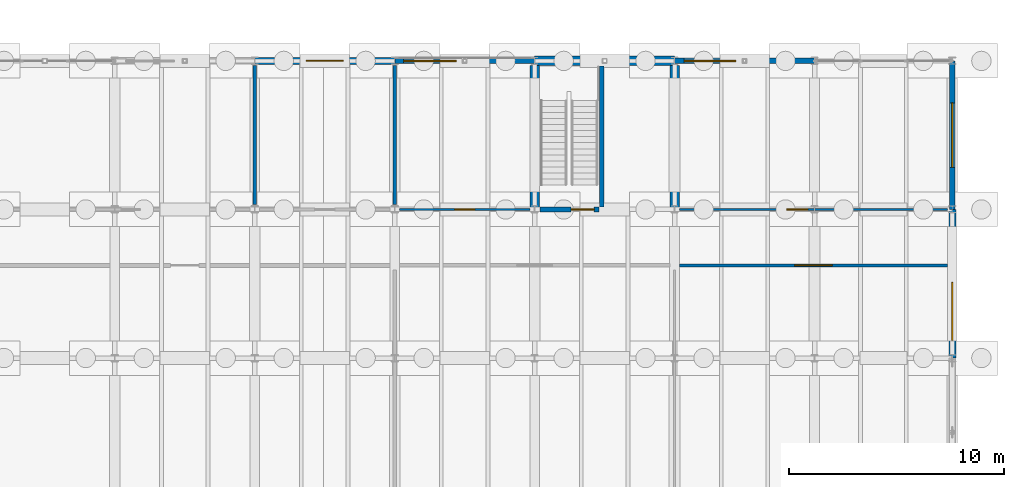
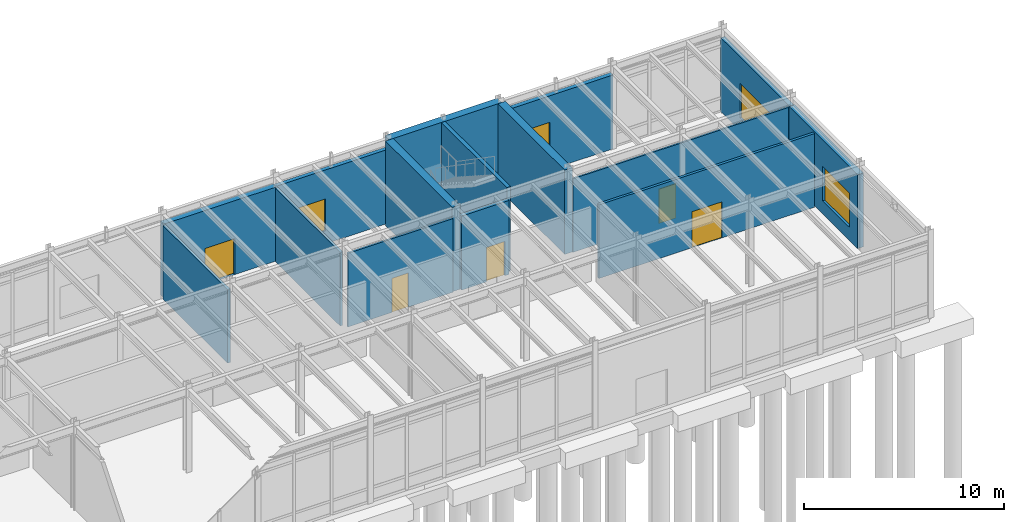
# One storey, part 75 of 82: 15 walls, 5 doors, 4 windows, 9 openings.
"""IFC4 building model written with IfcOpenShell, lengths in metres."""

from ifc_helpers import new_model, si_unit, direction, frame, frame_2d, origin, place, context, subcontext, project, spatial, rectangle, extrude, material, layer, layer_set, type_object, element, fill, save


model = new_model("IFC4")

# Units and contexts
model_context = context("Model", 3, precision=1e-05, world=origin(), true_north=direction((0.0, 1.0)))
body_context = subcontext(model_context, "Body", "Model", "MODEL_VIEW")
ifc_project = project(units=[si_unit("LENGTHUNIT", "METRE"), si_unit("AREAUNIT", "SQUARE_METRE"), si_unit("VOLUMEUNIT", "CUBIC_METRE"), si_unit("PLANEANGLEUNIT", "RADIAN"), si_unit("MASSUNIT", "GRAM", prefix="KILO")], contexts=[model_context])

# Site, building, storey
site_placement = place(None, origin())
site = spatial("IfcSite", under=ifc_project, at=site_placement, CompositionType="ELEMENT")
building_placement = place(site_placement, origin())
building = spatial("IfcBuilding", under=site, at=building_placement, Name="Trelmorton Wharf Fire Station", CompositionType="ELEMENT")
storey_placement = place(building_placement, origin())
storey = spatial("IfcBuildingStorey", under=building, at=storey_placement, Name="L00", CompositionType="ELEMENT", Elevation=0.0)

# Wall, opening, window
ifc_material_1 = material(Name="Precast concrete 45 MPa", Category="concrete")
ifc_layer_1 = layer(ifc_material_1, 0.22998046875)
ifc_layer_set_1 = layer_set([ifc_layer_1], Name="Precast concrete 45 MPa")
wall_type_1 = type_object("IfcWallType", Name="EW_PREC_230", PredefinedType="SOLIDWALL", material=ifc_layer_set_1)
wall_1_placement = place(storey_placement, frame((136.5048828125, 81.0, 0.0), z_axis=(0.0, 0.0, 1.0), x_axis=(1.0, 0.0, 0.0)))
wall_1 = element("IfcWall", 1, at=wall_1_placement, inside=storey, type_object=wall_type_1, Name="EW-V4-L00-0204", PredefinedType="SOLIDWALL", context=body_context, shape_type="SweptSolid", body=[
    extrude(rectangle(XDim=6.490234375, YDim=0.22998046875, at=frame_2d((3.2451171875, 0.0))), origin(), (0.0, 0.0, 1.0), 4.52001953125),
])
opening_1_placement = place(wall_1_placement, frame((0.41259765625, 0.0, 0.800048828125)))
opening_1 = element("IfcOpeningElement", 2, at=opening_1_placement, cuts=wall_1, Name="Opening W48", PredefinedType="OPENING", context=body_context, shape_type="SweptSolid", body=[
    extrude(rectangle(XDim=2.449951171875, YDim=1.949951171875, at=frame_2d((1.22509765625, 0.97509765625))), frame((0.0, 0.125, 0.0), z_axis=(0.0, -1.0, 0.0), x_axis=(1.0, 0.0, 0.0)), (0.0, 0.0, 1.0), 0.25),
])
ifc_material_2 = material(Name="Tempered low-E double glazing", Category="glass")
window_type_1 = type_object("IfcWindowType", Name="WIN_W48", PartitioningType="TRIPLE_PANEL_VERTICAL", PredefinedType="WINDOW", material=ifc_material_2)
window_1_placement = place(opening_1_placement, origin())
window_1 = element("IfcWindow", 3, at=window_1_placement, inside=storey, type_object=window_type_1, Name="WN-V4-L00-0110", OverallHeight=1.949951171875, OverallWidth=2.449951171875, PartitioningType="TRIPLE_PANEL_VERTICAL", PredefinedType="WINDOW", context=body_context, shape_type="SweptSolid", body=[
    extrude(rectangle(XDim=2.449951171875, YDim=1.949951171875, at=frame_2d((1.22509765625, 0.97509765625))), frame((0.0, 0.030029296875, 0.0), z_axis=(0.0, -1.0, 0.0), x_axis=(1.0, 0.0, 0.0)), (0.0, 0.0, 1.0), 0.06005859375),
])
fill(opening_1, window_1)

ifc_layer_2 = layer(ifc_material_1, 0.25)
ifc_layer_set_2 = layer_set([ifc_layer_2], Name="Precast concrete 45 MPa")
wall_type_2 = type_object("IfcWallType", Name="EW_PREC_250", PredefinedType="SOLIDWALL", material=ifc_layer_set_2)
wall_2_placement = place(storey_placement, frame((149.5048828125, 81.0, 0.0), z_axis=(0.0, 0.0, 1.0), x_axis=(1.0, 0.0, 0.0)))
wall_2 = element("IfcWall", 4, at=wall_2_placement, inside=storey, type_object=wall_type_2, Name="EW-V4-L00-0205", PredefinedType="SOLIDWALL", context=body_context, shape_type="SweptSolid", body=[
    extrude(rectangle(XDim=6.490234375, YDim=0.25, at=frame_2d((3.2451171875, 0.0))), origin(), (0.0, 0.0, 1.0), 4.52001953125),
])
opening_2_placement = place(wall_2_placement, frame((0.4375, 0.0, 0.800048828125)))
opening_2 = element("IfcOpeningElement", 5, at=opening_2_placement, cuts=wall_2, Name="Opening W01", PredefinedType="OPENING", context=body_context, shape_type="SweptSolid", body=[
    extrude(rectangle(XDim=2.39990234375, YDim=2.10009765625, at=frame_2d((1.199951171875, 1.050048828125))), frame((0.0, 0.135009765625, 0.0), z_axis=(0.0, -1.0, 0.0), x_axis=(1.0, 0.0, 0.0)), (0.0, 0.0, 1.0), 0.27001953125),
])
window_type_2 = type_object("IfcWindowType", Name="WIN_W01", PartitioningType="TRIPLE_PANEL_VERTICAL", PredefinedType="WINDOW", material=ifc_material_2)
window_2_placement = place(opening_2_placement, origin())
window_2 = element("IfcWindow", 6, at=window_2_placement, inside=storey, type_object=window_type_2, Name="WN-V4-L00-0111", OverallHeight=2.10009765625, OverallWidth=2.39990234375, PartitioningType="TRIPLE_PANEL_VERTICAL", PredefinedType="WINDOW", context=body_context, shape_type="SweptSolid", body=[
    extrude(rectangle(XDim=2.39990234375, YDim=2.10009765625, at=frame_2d((1.199951171875, 1.050048828125))), frame((0.0, 0.030029296875, 0.0), z_axis=(0.0, -1.0, 0.0), x_axis=(1.0, 0.0, 0.0)), (0.0, 0.0, 1.0), 0.06005859375),
])
fill(opening_2, window_2)

wall_3_placement = place(storey_placement, frame((162.39990234375, 80.9951171875, 0.0), z_axis=(0.0, 0.0, 1.0), x_axis=(0.0, -1.0, 0.0)))
wall_3 = element("IfcWall", 7, at=wall_3_placement, inside=storey, type_object=wall_type_2, Name="EW-V4-L00-0211", PredefinedType="SOLIDWALL", context=body_context, shape_type="SweptSolid", body=[
    extrude(rectangle(XDim=6.89013671875, YDim=0.25, at=frame_2d((3.445068359375, 0.0))), origin(), (0.0, 0.0, 1.0), 4.52001953125),
])
opening_3_placement = place(wall_3_placement, frame((1.945068359375, 0.0, 0.800048828125)))
opening_3 = element("IfcOpeningElement", 8, at=opening_3_placement, cuts=wall_3, Name="Opening W05", PredefinedType="OPENING", context=body_context, shape_type="SweptSolid", body=[
    extrude(rectangle(XDim=3.0, YDim=2.10009765625, at=frame_2d((1.5, 1.050048828125))), frame((0.0, 0.135009765625, 0.0), z_axis=(0.0, -1.0, 0.0), x_axis=(1.0, 0.0, 0.0)), (0.0, 0.0, 1.0), 0.27001953125),
])
window_type_3 = type_object("IfcWindowType", Name="WIN_W05", PartitioningType="TRIPLE_PANEL_VERTICAL", PredefinedType="WINDOW", material=ifc_material_2)
window_3_placement = place(opening_3_placement, origin())
window_3 = element("IfcWindow", 9, at=window_3_placement, inside=storey, type_object=window_type_3, Name="WN-V4-L00-0115", OverallHeight=2.10009765625, OverallWidth=3.0, PartitioningType="TRIPLE_PANEL_VERTICAL", PredefinedType="WINDOW", context=body_context, shape_type="SweptSolid", body=[
    extrude(rectangle(XDim=3.0, YDim=2.10009765625, at=frame_2d((1.5, 1.050048828125))), frame((0.0, 0.030029296875, 0.0), z_axis=(0.0, -1.0, 0.0), x_axis=(1.0, 0.0, 0.0)), (0.0, 0.0, 1.0), 0.06005859375),
])
fill(opening_3, window_3)

# Wall, opening, door
ifc_layer_3 = layer(ifc_material_1, 0.330078125)
ifc_layer_set_3 = layer_set([ifc_layer_3], Name="Precast concrete 45 MPa")
wall_type_3 = type_object("IfcWallType", Name="EW_TERR_330", PredefinedType="SOLIDWALL", material=ifc_layer_set_3)
wall_4_placement = place(storey_placement, frame((130.0048828125, 81.0, 0.0), z_axis=(0.0, 0.0, 1.0), x_axis=(1.0, 0.0, 0.0)))
wall_4 = element("IfcWall", 10, at=wall_4_placement, inside=storey, type_object=wall_type_3, Name="EW-V4-L00-0203", PredefinedType="SOLIDWALL", context=body_context, shape_type="SweptSolid", body=[
    extrude(rectangle(XDim=6.490234375, YDim=0.330078125, at=frame_2d((3.2451171875, 0.0))), origin(), (0.0, 0.0, 1.0), 4.52001953125),
])
opening_4_placement = place(wall_4_placement, frame((2.385009765625, 0.0, 0.0)))
opening_4 = element("IfcOpeningElement", 11, at=opening_4_placement, cuts=wall_4, Name="Opening E-033", PredefinedType="OPENING", context=body_context, shape_type="SweptSolid", body=[
    extrude(rectangle(XDim=1.719970703125, YDim=2.199951171875, at=frame_2d((0.85986328125, 1.10009765625))), frame((0.0, 0.175048828125, 0.0), z_axis=(0.0, -1.0, 0.0), x_axis=(1.0, 0.0, 0.0)), (0.0, 0.0, 1.0), 0.35009765625),
])
ifc_material_3 = material(Name="Anodised aluminium AW-6063", Category="aluminium")
door_type_1 = type_object("IfcDoorType", Name="DR_EXT_DBL_172", OperationType="DOUBLE_DOOR_SINGLE_SWING", PredefinedType="DOOR", material=ifc_material_3)
door_1_placement = place(opening_4_placement, origin())
door_1 = element("IfcDoor", 12, at=door_1_placement, inside=storey, type_object=door_type_1, Name="Final Exit Door E-033", OperationType="DOUBLE_DOOR_SINGLE_SWING", OverallHeight=2.199951171875, OverallWidth=1.719970703125, PredefinedType="DOOR", context=body_context, shape_type="SweptSolid", body=[
    extrude(rectangle(XDim=1.719970703125, YDim=2.199951171875, at=frame_2d((0.85986328125, 1.10009765625))), frame((0.0, 0.02490234375, 0.0), z_axis=(0.0, -1.0, 0.0), x_axis=(1.0, 0.0, 0.0)), (0.0, 0.0, 1.0), 0.050048828125),
])
fill(opening_4, door_1)

# Wall, opening, window
wall_5_placement = place(storey_placement, frame((162.39990234375, 74.094970703125, 0.0), z_axis=(0.0, 0.0, 1.0), x_axis=(0.0, -1.0, 0.0)))
wall_5 = element("IfcWall", 13, at=wall_5_placement, inside=storey, type_object=wall_type_3, Name="EW-V4-L00-0209", PredefinedType="SOLIDWALL", context=body_context, shape_type="SweptSolid", body=[
    extrude(rectangle(XDim=6.889892578125, YDim=0.330078125, at=frame_2d((3.44482421875, 0.0))), origin(), (0.0, 0.0, 1.0), 4.52001953125),
])
opening_5_placement = place(wall_5_placement, frame((3.37744140625, 0.0, 0.800048828125)))
opening_5 = element("IfcOpeningElement", 14, at=opening_5_placement, cuts=wall_5, Name="Opening W03", PredefinedType="OPENING", context=body_context, shape_type="SweptSolid", body=[
    extrude(rectangle(XDim=2.699951171875, YDim=2.10009765625, at=frame_2d((1.35009765625, 1.050048828125))), frame((0.0, 0.175048828125, 0.0), z_axis=(0.0, -1.0, 0.0), x_axis=(1.0, 0.0, 0.0)), (0.0, 0.0, 1.0), 0.35009765625),
])
window_type_4 = type_object("IfcWindowType", Name="WIN_W03", PartitioningType="TRIPLE_PANEL_VERTICAL", PredefinedType="WINDOW", material=ifc_material_2)
window_4_placement = place(opening_5_placement, origin())
window_4 = element("IfcWindow", 15, at=window_4_placement, inside=storey, type_object=window_type_4, Name="WN-V4-L00-0113", OverallHeight=2.10009765625, OverallWidth=2.699951171875, PartitioningType="TRIPLE_PANEL_VERTICAL", PredefinedType="WINDOW", context=body_context, shape_type="SweptSolid", body=[
    extrude(rectangle(XDim=2.699951171875, YDim=2.10009765625, at=frame_2d((1.35009765625, 1.050048828125))), frame((0.0, 0.030029296875, 0.0), z_axis=(0.0, -1.0, 0.0), x_axis=(1.0, 0.0, 0.0)), (0.0, 0.0, 1.0), 0.06005859375),
])
fill(opening_5, window_4)

# Wall, opening, door
ifc_material_4 = material(Name="Gypsum plasterboard partition")
ifc_layer_4 = layer(ifc_material_4, 0.14990234375)
ifc_layer_set_4 = layer_set([ifc_layer_4], Name="Gypsum plasterboard partition")
wall_type_4 = type_object("IfcWallType", Name="IW_ACOU_150", PredefinedType="PARTITIONING", material=ifc_layer_set_4)
wall_6_placement = place(storey_placement, frame((149.719970703125, 71.5, 0.0), z_axis=(0.0, 0.0, 1.0), x_axis=(1.0, 0.0, 0.0)))
wall_6 = element("IfcWall", 16, at=wall_6_placement, inside=storey, type_object=wall_type_4, Name="IW-L00-0058", PredefinedType="PARTITIONING", context=body_context, shape_type="SweptSolid", body=[
    extrude(rectangle(XDim=12.4599609375, YDim=0.14990234375, at=frame_2d((6.22998046875, 0.0))), origin(), (0.0, 0.0, 1.0), 4.5),
])
opening_6_placement = place(wall_6_placement, frame((5.360107421875, 0.0, 0.0)))
opening_6 = element("IfcOpeningElement", 17, at=opening_6_placement, cuts=wall_6, Name="Opening D-039", PredefinedType="OPENING", context=body_context, shape_type="SweptSolid", body=[
    extrude(rectangle(XDim=1.739990234375, YDim=2.199951171875, at=frame_2d((0.8701171875, 1.10009765625))), frame((0.0, 0.0849609375, 0.0), z_axis=(0.0, -1.0, 0.0), x_axis=(1.0, 0.0, 0.0)), (0.0, 0.0, 1.0), 0.169921875),
])
ifc_material_5 = material(Name="Acoustic timber panelling", Category="wood")
door_type_2 = type_object("IfcDoorType", Name="DR_INT_174", OperationType="DOUBLE_DOOR_SINGLE_SWING", PredefinedType="DOOR", material=ifc_material_5)
door_2_placement = place(opening_6_placement, origin())
door_2 = element("IfcDoor", 18, at=door_2_placement, inside=storey, type_object=door_type_2, Name="Interior Door D-039", OperationType="DOUBLE_DOOR_SINGLE_SWING", OverallHeight=2.199951171875, OverallWidth=1.739990234375, PredefinedType="DOOR", context=body_context, shape_type="SweptSolid", body=[
    extrude(rectangle(XDim=1.739990234375, YDim=2.199951171875, at=frame_2d((0.8701171875, 1.10009765625))), frame((0.0, 0.02490234375, 0.0), z_axis=(0.0, -1.0, 0.0), x_axis=(1.0, 0.0, 0.0)), (0.0, 0.0, 1.0), 0.050048828125),
])
fill(opening_6, door_2)

# Walls
wall_7_placement = place(storey_placement, frame((136.5, 74.320068359375, 0.0), z_axis=(0.0, 0.0, 1.0), x_axis=(0.0, 1.0, 0.0)))
element("IfcWall", 19, at=wall_7_placement, inside=storey, type_object=wall_type_4, Name="IW-L00-0065", PredefinedType="PARTITIONING", context=body_context, shape_type="SweptSolid", body=[
    extrude(rectangle(XDim=6.4599609375, YDim=0.14990234375, at=frame_2d((3.22998046875, 0.0))), origin(), (0.0, 0.0, 1.0), 4.5),
])
ifc_layer_5 = layer(ifc_material_4, 0.159912109375)
ifc_layer_set_5 = layer_set([ifc_layer_5], Name="Gypsum plasterboard partition")
wall_type_5 = type_object("IfcWallType", Name="IW_ACOU_160", PredefinedType="PARTITIONING", material=ifc_layer_set_5)
wall_8_placement = place(storey_placement, frame((130.0, 74.320068359375, 0.0), z_axis=(0.0, 0.0, 1.0), x_axis=(0.0, 1.0, 0.0)))
element("IfcWall", 20, at=wall_8_placement, inside=storey, type_object=wall_type_5, Name="IW-L00-0064", PredefinedType="PARTITIONING", context=body_context, shape_type="SweptSolid", body=[
    extrude(rectangle(XDim=6.4599609375, YDim=0.159912109375, at=frame_2d((3.22998046875, 0.0))), origin(), (0.0, 0.0, 1.0), 4.5),
])
ifc_material_6 = material(Name="Concrete 40 MPa", Category="concrete")
ifc_layer_6 = layer(ifc_material_6, 0.219970703125)
ifc_layer_set_6 = layer_set([ifc_layer_6], Name="Concrete 40 MPa")
wall_type_6 = type_object("IfcWallType", Name="IW_CORE_220", PredefinedType="SOLIDWALL", material=ifc_layer_set_6)
wall_9_placement = place(storey_placement, frame((146.1201171875, 74.219970703125, 0.0), z_axis=(0.0, 0.0, 1.0), x_axis=(0.0, 1.0, 0.0)))
element("IfcWall", 21, at=wall_9_placement, inside=storey, type_object=wall_type_6, Name="IW-C8-DIV-L00", PredefinedType="SOLIDWALL", context=body_context, shape_type="SweptSolid", body=[
    extrude(rectangle(XDim=6.554931640625, YDim=0.219970703125, at=frame_2d((3.27734375, 0.0))), origin(), (0.0, 0.0, 1.0), 5.159912109375),
])

# Wall, opening, door
wall_10_placement = place(storey_placement, frame((143.260009765625, 74.10009765625, 0.0), z_axis=(0.0, 0.0, 1.0), x_axis=(1.0, 0.0, 0.0)))
wall_10 = element("IfcWall", 22, at=wall_10_placement, inside=storey, type_object=wall_type_6, Name="IW-C8-SF-L00", PredefinedType="SOLIDWALL", context=body_context, shape_type="SweptSolid", body=[
    extrude(rectangle(XDim=2.739990234375, YDim=0.219970703125, at=frame_2d((1.3701171875, 0.0))), origin(), (0.0, 0.0, 1.0), 4.52001953125),
])
opening_7_placement = place(wall_10_placement, frame((1.43994140625, 0.0, 0.0)))
opening_7 = element("IfcOpeningElement", 23, at=opening_7_placement, cuts=wall_10, Name="Opening FD-047", PredefinedType="OPENING", context=body_context, shape_type="SweptSolid", body=[
    extrude(rectangle(XDim=1.06005859375, YDim=2.10009765625, at=frame_2d((0.530029296875, 1.050048828125))), frame((0.0, 0.1201171875, 0.0), z_axis=(0.0, -1.0, 0.0), x_axis=(1.0, 0.0, 0.0)), (0.0, 0.0, 1.0), 0.239990234375),
])
ifc_material_7 = material(Name="Stainless steel 316 marine grade", Category="steel")
door_type_3 = type_object("IfcDoorType", Name="DR_FIRE_106", OperationType="NOTDEFINED", PredefinedType="DOOR", material=ifc_material_7)
door_3_placement = place(opening_7_placement, origin())
door_3 = element("IfcDoor", 24, at=door_3_placement, inside=storey, type_object=door_type_3, Name="Stair Fire Door FD-047", OperationType="SINGLE_SWING_LEFT", OverallHeight=2.10009765625, OverallWidth=1.06005859375, PredefinedType="DOOR", context=body_context, shape_type="SweptSolid", body=[
    extrude(rectangle(XDim=1.06005859375, YDim=2.10009765625, at=frame_2d((0.530029296875, 1.050048828125))), frame((0.0, 0.02490234375, 0.0), z_axis=(0.0, -1.0, 0.0), x_axis=(1.0, 0.0, 0.0)), (0.0, 0.0, 1.0), 0.050048828125),
])
fill(opening_7, door_3)

ifc_layer_7 = layer(ifc_material_4, 0.10009765625)
ifc_layer_set_7 = layer_set([ifc_layer_7], Name="Gypsum plasterboard partition")
wall_type_7 = type_object("IfcWallType", Name="IW_PART_100", PredefinedType="PARTITIONING", material=ifc_layer_set_7)
wall_11_placement = place(storey_placement, frame((149.719970703125, 74.10009765625, 0.0), z_axis=(0.0, 0.0, 1.0), x_axis=(1.0, 0.0, 0.0)))
wall_11 = element("IfcWall", 25, at=wall_11_placement, inside=storey, type_object=wall_type_7, Name="IW-L00-0063", PredefinedType="PARTITIONING", context=body_context, shape_type="SweptSolid", body=[
    extrude(rectangle(XDim=12.4599609375, YDim=0.10009765625, at=frame_2d((6.22998046875, 0.0))), origin(), (0.0, 0.0, 1.0), 4.5),
])
opening_8_placement = place(wall_11_placement, frame((4.9951171875, 0.0, 0.0)))
opening_8 = element("IfcOpeningElement", 26, at=opening_8_placement, cuts=wall_11, Name="Opening D-044", PredefinedType="OPENING", context=body_context, shape_type="SweptSolid", body=[
    extrude(rectangle(XDim=0.969970703125, YDim=2.10009765625, at=frame_2d((0.48486328125, 1.050048828125))), frame((0.0, 0.06005859375, 0.0), z_axis=(0.0, -1.0, 0.0), x_axis=(1.0, 0.0, 0.0)), (0.0, 0.0, 1.0), 0.1201171875),
])
door_type_4 = type_object("IfcDoorType", Name="DR_INT_097", OperationType="NOTDEFINED", PredefinedType="DOOR", material=ifc_material_5)
door_4_placement = place(opening_8_placement, origin())
door_4 = element("IfcDoor", 27, at=door_4_placement, inside=storey, type_object=door_type_4, Name="Interior Door D-044", OperationType="SINGLE_SWING_LEFT", OverallHeight=2.10009765625, OverallWidth=0.969970703125, PredefinedType="DOOR", context=body_context, shape_type="SweptSolid", body=[
    extrude(rectangle(XDim=0.969970703125, YDim=2.10009765625, at=frame_2d((0.48486328125, 1.050048828125))), frame((0.0, 0.02490234375, 0.0), z_axis=(0.0, -1.0, 0.0), x_axis=(1.0, 0.0, 0.0)), (0.0, 0.0, 1.0), 0.050048828125),
])
fill(opening_8, door_4)

ifc_layer_8 = layer(ifc_material_4, 0.110107421875)
ifc_layer_set_8 = layer_set([ifc_layer_8], Name="Gypsum plasterboard partition")
wall_type_8 = type_object("IfcWallType", Name="IW_PART_110", PredefinedType="PARTITIONING", material=ifc_layer_set_8)
wall_12_placement = place(storey_placement, frame((136.719970703125, 74.10009765625, 0.0), z_axis=(0.0, 0.0, 1.0), x_axis=(1.0, 0.0, 0.0)))
wall_12 = element("IfcWall", 28, at=wall_12_placement, inside=storey, type_object=wall_type_8, Name="IW-L00-0062", PredefinedType="PARTITIONING", context=body_context, shape_type="SweptSolid", body=[
    extrude(rectangle(XDim=6.06005859375, YDim=0.110107421875, at=frame_2d((3.030029296875, 0.0))), origin(), (0.0, 0.0, 1.0), 4.5),
])
opening_9_placement = place(wall_12_placement, frame((2.56005859375, 0.0, 0.0)))
opening_9 = element("IfcOpeningElement", 29, at=opening_9_placement, cuts=wall_12, Name="Opening D-043", PredefinedType="OPENING", context=body_context, shape_type="SweptSolid", body=[
    extrude(rectangle(XDim=0.93994140625, YDim=2.080078125, at=frame_2d((0.469970703125, 1.0400390625))), frame((0.0, 0.06494140625, 0.0), z_axis=(0.0, -1.0, 0.0), x_axis=(1.0, 0.0, 0.0)), (0.0, 0.0, 1.0), 0.130126953125),
])
door_type_5 = type_object("IfcDoorType", Name="DR_INT_094", OperationType="NOTDEFINED", PredefinedType="DOOR", material=ifc_material_5)
door_5_placement = place(opening_9_placement, origin())
door_5 = element("IfcDoor", 30, at=door_5_placement, inside=storey, type_object=door_type_5, Name="Interior Door D-043", OperationType="SINGLE_SWING_RIGHT", OverallHeight=2.080078125, OverallWidth=0.93994140625, PredefinedType="DOOR", context=body_context, shape_type="SweptSolid", body=[
    extrude(rectangle(XDim=0.93994140625, YDim=2.080078125, at=frame_2d((0.469970703125, 1.0400390625))), frame((0.0, 0.02490234375, 0.0), z_axis=(0.0, -1.0, 0.0), x_axis=(1.0, 0.0, 0.0)), (0.0, 0.0, 1.0), 0.050048828125),
])
fill(opening_9, door_5)

# Walls
ifc_material_8 = material(Name="Concrete 50 MPa", Category="concrete")
ifc_layer_9 = layer(ifc_material_8, 0.43994140625)
ifc_layer_set_9 = layer_set([ifc_layer_9], Name="Concrete 50 MPa")
wall_type_9 = type_object("IfcWallType", Name="WL_CORE_440", PredefinedType="SHEAR", material=ifc_layer_set_9)
wall_13_placement = place(storey_placement, frame((143.0, 81.0, 0.0), z_axis=(0.0, 0.0, 1.0), x_axis=(1.0, 0.0, 0.0)))
element("IfcWall", 31, at=wall_13_placement, inside=storey, type_object=wall_type_9, Name="WL-SW-C8-L00-139", PredefinedType="SHEAR", context=body_context, shape_type="SweptSolid", body=[
    extrude(rectangle(XDim=6.5, YDim=0.43994140625, at=frame_2d((3.25, 0.0))), origin(), (0.0, 0.0, 1.0), 5.159912109375),
])
for number, where, z_axis, x_axis, name in (
    (32, (143.0, 74.10009765625, 0.0), (0.0, 0.0, 1.0), (0.0, 1.0, 0.0), "WL-SW-C8-L00-140"),
    (33, (149.5, 74.10009765625, 0.0), (0.0, 0.0, 1.0), (0.0, 1.0, 0.0), "WL-SW-C8-L00-141"),
):
    element("IfcWall", number, at=place(storey_placement, frame(where, z_axis=z_axis, x_axis=x_axis)), inside=storey, type_object=wall_type_9, Name=name, PredefinedType="SHEAR", context=body_context, shape_type="SweptSolid", body=[
        extrude(rectangle(XDim=6.679931640625, YDim=0.43994140625, at=frame_2d((3.33984375, 0.0))), origin(), (0.0, 0.0, 1.0), 5.159912109375),
    ])

save(model, "model.ifc")
